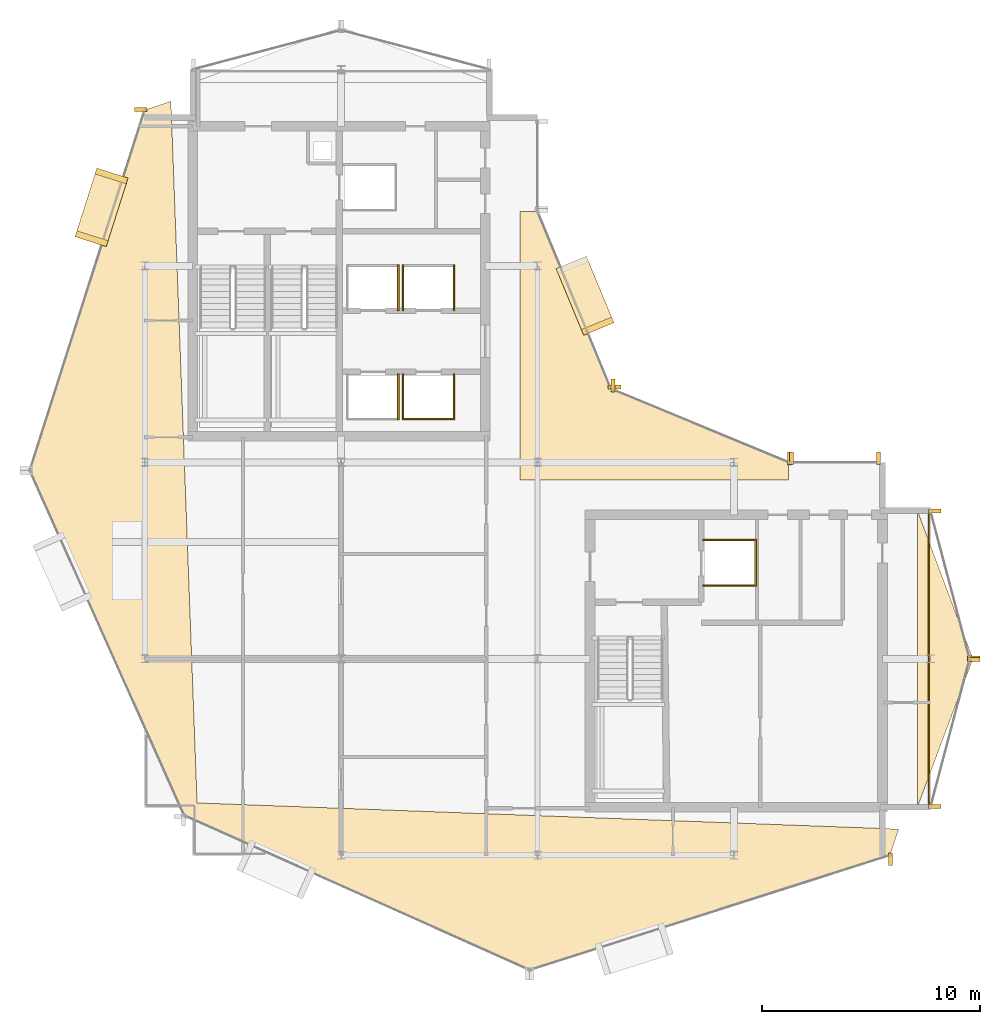
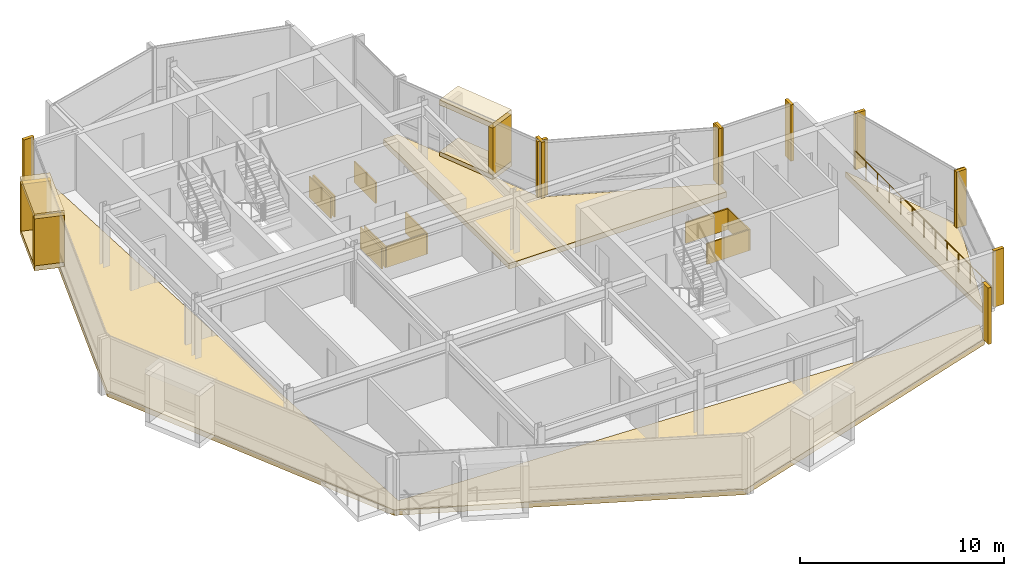
# One storey, part 18 of 19: 31 coverings, 1 railing.
"""IFC4 building model written with IfcOpenShell, lengths in metres."""

from ifc_helpers import new_model, si_unit, direction, frame, origin, origin_2d, place, context, subcontext, project, spatial, polyline, rectangle, circle, outline, extrude, material, layer, layer_set, type_object, element, save


model = new_model("IFC4")

# Units and contexts
model_context = context("Model", 3, precision=1e-05, world=origin(), true_north=direction((0.0, 1.0)))
body_context = subcontext(model_context, "Body", "Model", "MODEL_VIEW")
ifc_project = project(units=[si_unit("LENGTHUNIT", "METRE"), si_unit("AREAUNIT", "SQUARE_METRE"), si_unit("VOLUMEUNIT", "CUBIC_METRE"), si_unit("PLANEANGLEUNIT", "RADIAN"), si_unit("MASSUNIT", "GRAM", prefix="KILO")], contexts=[model_context])

# Site, building, storey
site_placement = place(None, origin())
site = spatial("IfcSite", under=ifc_project, at=site_placement, CompositionType="ELEMENT")
building_placement = place(site_placement, origin())
building = spatial("IfcBuilding", under=site, at=building_placement, Name="Solvaryn Broadcast Tower", CompositionType="ELEMENT")
storey_placement = place(building_placement, frame((0.0, 0.0, 293.699951171875)))
storey = spatial("IfcBuildingStorey", under=building, at=storey_placement, Name="L74", CompositionType="ELEMENT", Elevation=293.699951171875)

# Coverings
ifc_material_1 = material(Name="Fire-Rated Gypsum Shaftwall Liner", Category="concrete")
ifc_layer_1 = layer(ifc_material_1, 0.080078125)
ifc_layer_set_1 = layer_set([ifc_layer_1], Name="CV-SHAFT-LINER")
covering_type_1 = type_object("IfcCoveringType", Name="CV-SHAFT-LINER", PredefinedType="CLADDING", material=ifc_layer_set_1)
covering_1_placement = place(storey_placement, frame((20.614990234375, 30.0, 0.0), z_axis=(0.0, 0.0, 1.0), x_axis=(1.0, 0.0, 0.0)))
element("IfcCovering", 1, at=covering_1_placement, inside=storey, type_object=covering_type_1, Name="L74 PH1 Hoistway Shaft Liner East", PredefinedType="CLADDING", context=body_context, shape_type="SweptSolid", body=[
    extrude(rectangle(XDim=0.080078125, YDim=2.110107421875, at=origin_2d()), origin(), (0.0, 0.0, 1.0), 1.25),
])
covering_2_placement = place(storey_placement, frame((22.0, 28.985107421875, 0.0), z_axis=(0.0, 0.0, 1.0), x_axis=(1.0, 0.0, 0.0)))
element("IfcCovering", 2, at=covering_2_placement, inside=storey, type_object=covering_type_1, Name="L74 PH2 Hoistway Shaft Liner South", PredefinedType="CLADDING", context=body_context, shape_type="SweptSolid", body=[
    extrude(rectangle(XDim=2.409912109375, YDim=0.080078125, at=origin_2d()), origin(), (0.0, 0.0, 1.0), 1.25),
])
for number, where, z_axis, x_axis, name in (
    (3, (23.1650390625, 30.0, 0.0), (0.0, 0.0, 1.0), (1.0, 0.0, 0.0), "L74 PH2 Hoistway Shaft Liner East"),
    (4, (20.8349609375, 30.0, 0.0), (0.0, 0.0, 1.0), (1.0, 0.0, 0.0), "L74 PH2 Hoistway Shaft Liner West"),
    (5, (20.614990234375, 35.0, 0.0), (0.0, 0.0, 1.0), (1.0, 0.0, 0.0), "L74 PH3 Hoistway Shaft Liner East"),
    (6, (23.1650390625, 35.0, 0.0), (0.0, 0.0, 1.0), (1.0, 0.0, 0.0), "L74 PH4 Hoistway Shaft Liner East"),
    (7, (20.8349609375, 35.0, 0.0), (0.0, 0.0, 1.0), (1.0, 0.0, 0.0), "L74 PH4 Hoistway Shaft Liner West"),
):
    element("IfcCovering", number, at=place(storey_placement, frame(where, z_axis=z_axis, x_axis=x_axis)), inside=storey, type_object=covering_type_1, Name=name, PredefinedType="CLADDING", context=body_context, shape_type="SweptSolid", body=[
        extrude(rectangle(XDim=0.080078125, YDim=2.110107421875, at=origin_2d()), origin(), (0.0, 0.0, 1.0), 1.25),
    ])
for number, where, z_axis, x_axis, name in (
    (8, (35.800048828125, 23.43994140625, 0.0), (0.0, 0.0, 1.0), (1.0, 0.0, 0.0), "L74 FL2 Hoistway Shaft Liner North"),
    (9, (35.800048828125, 21.360107421875, 0.0), (0.0, 0.0, 1.0), (1.0, 0.0, 0.0), "L74 FL2 Hoistway Shaft Liner South"),
):
    element("IfcCovering", number, at=place(storey_placement, frame(where, z_axis=z_axis, x_axis=x_axis)), inside=storey, type_object=covering_type_1, Name=name, PredefinedType="CLADDING", context=body_context, shape_type="SweptSolid", body=[
        extrude(rectangle(XDim=2.4599609375, YDim=0.080078125, at=origin_2d()), origin(), (0.0, 0.0, 1.0), 1.25),
    ])
covering_3_placement = place(storey_placement, frame((36.989990234375, 22.39990234375, 0.0), z_axis=(0.0, 0.0, 1.0), x_axis=(1.0, 0.0, 0.0)))
element("IfcCovering", 10, at=covering_3_placement, inside=storey, type_object=covering_type_1, Name="L74 FL2 Hoistway Shaft Liner East", PredefinedType="CLADDING", context=body_context, shape_type="SweptSolid", body=[
    extrude(rectangle(XDim=0.080078125, YDim=2.159912109375, at=origin_2d()), origin(), (0.0, 0.0, 1.0), 1.25),
])
ifc_material_2 = material(Name="Glazed Architectural Terracotta Rainscreen Cladding", Category="masonry")
ifc_layer_2 = layer(ifc_material_2, 0.280029296875)
ifc_layer_set_2 = layer_set([ifc_layer_2], Name="CV-TC-CLAD")
covering_type_2 = type_object("IfcCoveringType", Name="CV-TC-CLAD", PredefinedType="CLADDING", material=ifc_layer_set_2)
for number, where, z_axis, x_axis, name in (
    (11, (7.02197265625, 38.68603515625, 3.080078125), (0.0, 0.0, 1.0), (-0.303534206887, -0.952820541996, 0.0), "L74 Projecting Stone Window Box Hood 1"),
    (12, (7.02197265625, 38.68603515625, -0.009765625), (0.0, 0.0, 1.0), (-0.303534206887, -0.952820541996, 0.0), "L74 Projecting Stone Window Box Sill 1"),
):
    element("IfcCovering", number, at=place(storey_placement, frame(where, z_axis=z_axis, x_axis=x_axis)), inside=storey, type_object=covering_type_2, Name=name, PredefinedType="CLADDING", context=body_context, shape_type="SweptSolid", body=[
        extrude(rectangle(XDim=3.300048828125, YDim=1.5, at=origin_2d()), origin(), (0.0, 0.0, 1.0), 0.300048828125),
    ])
for number, where, z_axis, x_axis, name in (
    (13, (7.480224609375, 40.124755859375, 0.280029296875), (0.0, 0.0, 1.0), (-0.303534206887, -0.952820541996, 0.0), "L74 Projecting Stone Window Box Cheek 1-1"),
    (14, (6.563720703125, 37.247314453125, 0.280029296875), (0.0, 0.0, 1.0), (-0.303534206887, -0.952820541996, 0.0), "L74 Projecting Stone Window Box Cheek 1-2"),
):
    element("IfcCovering", number, at=place(storey_placement, frame(where, z_axis=z_axis, x_axis=x_axis)), inside=storey, type_object=covering_type_2, Name=name, PredefinedType="CLADDING", context=body_context, shape_type="SweptSolid", body=[
        extrude(rectangle(XDim=0.280029296875, YDim=1.5, at=origin_2d()), origin(), (0.0, 0.0, 1.0), 2.81005859375),
    ])
for number, where, z_axis, x_axis, name in (
    (15, (29.174072265625, 34.636962890625, 3.080078125), (0.0, 0.0, 1.0), (-0.382683432365, 0.923879532511, 0.0), "L74 Projecting Stone Window Box Hood 5"),
    (16, (29.174072265625, 34.636962890625, -0.009765625), (0.0, 0.0, 1.0), (-0.382683432365, 0.923879532511, 0.0), "L74 Projecting Stone Window Box Sill 5"),
):
    element("IfcCovering", number, at=place(storey_placement, frame(where, z_axis=z_axis, x_axis=x_axis)), inside=storey, type_object=covering_type_2, Name=name, PredefinedType="CLADDING", context=body_context, shape_type="SweptSolid", body=[
        extrude(rectangle(XDim=3.300048828125, YDim=1.5, at=origin_2d()), origin(), (0.0, 0.0, 1.0), 0.300048828125),
    ])
covering_4_placement = place(storey_placement, frame((29.751953125, 33.241943359375, 0.280029296875), z_axis=(0.0, 0.0, 1.0), x_axis=(-0.382683432365, 0.923879532511, 0.0)))
element("IfcCovering", 17, at=covering_4_placement, inside=storey, type_object=covering_type_2, Name="L74 Projecting Stone Window Box Cheek 5-1", PredefinedType="CLADDING", context=body_context, shape_type="SweptSolid", body=[
    extrude(rectangle(XDim=0.280029296875, YDim=1.5, at=origin_2d()), origin(), (0.0, 0.0, 1.0), 2.81005859375),
])
ifc_material_3 = material(Name="Extruded Architectural Terracotta Fin", Category="masonry")
ifc_layer_3 = layer(ifc_material_3, 0.179931640625)
ifc_layer_set_3 = layer_set([ifc_layer_3], Name="CV-TC-FIN")
covering_type_3 = type_object("IfcCoveringType", Name="CV-TC-FIN", PredefinedType="USERDEFINED", material=ifc_layer_set_3)
covering_5_placement = place(storey_placement, frame((8.819091796875, 43.17529296875, 0.0), z_axis=(0.0, 0.0, 1.0), x_axis=(1.0, 0.0, 0.0)))
element("IfcCovering", 18, at=covering_5_placement, inside=storey, type_object=covering_type_3, Name="L74 Terracotta Vertical Fin FIN-L74-DR1-M00", ObjectType="FIN", PredefinedType="USERDEFINED", context=body_context, shape_type="SweptSolid", body=[
    extrude(rectangle(XDim=0.580078125, YDim=0.179931640625, at=origin_2d()), origin(), (0.0, 0.0, 1.0), 3.3701171875),
])
for number, where, z_axis, x_axis, name in (
    (19, (43.17529296875, 8.819091796875, 0.0), (0.0, 0.0, 1.0), (1.0, 0.0, 0.0), "L74 Terracotta Vertical Fin FIN-L74-DR4-M01"),
    (20, (38.541259765625, 27.177978515625, 0.0), (0.0, 0.0, 1.0), (1.0, 0.0, 0.0), "L74 Terracotta Vertical Fin FIN-L74-CN1-M00"),
    (21, (30.464599609375, 30.52294921875, 0.0), (0.0, 0.0, 1.0), (1.0, 0.0, 0.0), "L74 Terracotta Vertical Fin FIN-L74-CN1-M01"),
):
    element("IfcCovering", number, at=place(storey_placement, frame(where, z_axis=z_axis, x_axis=x_axis)), inside=storey, type_object=covering_type_3, Name=name, ObjectType="FIN", PredefinedType="USERDEFINED", context=body_context, shape_type="SweptSolid", body=[
        extrude(rectangle(XDim=0.179931640625, YDim=0.580078125, at=origin_2d()), origin(), (0.0, 0.0, 1.0), 3.3701171875),
    ])
for number, where, z_axis, x_axis, name in (
    (22, (30.52294921875, 30.464599609375, 0.0), (0.0, 0.0, 1.0), (1.0, 0.0, 0.0), "L74 Terracotta Vertical Fin FIN-L74-CN2-M00"),
    (23, (45.1953125, 24.77099609375, 0.0), (0.0, 0.0, 1.0), (1.0, 0.0, 0.0), "L74 Terracotta Vertical Fin FIN-L74-ET1-M00"),
    (24, (46.979736328125, 18.029052734375, 0.0), (0.0, 0.0, 1.0), (1.0, 0.0, 0.0), "L74 Terracotta Vertical Fin FIN-L74-ET1-M01"),
    (25, (46.979736328125, 17.970947265625, 0.0), (0.0, 0.0, 1.0), (1.0, 0.0, 0.0), "L74 Terracotta Vertical Fin FIN-L74-ET2-M00"),
    (26, (45.1953125, 11.22900390625, 0.0), (0.0, 0.0, 1.0), (1.0, 0.0, 0.0), "L74 Terracotta Vertical Fin FIN-L74-ET2-M01"),
):
    element("IfcCovering", number, at=place(storey_placement, frame(where, z_axis=z_axis, x_axis=x_axis)), inside=storey, type_object=covering_type_3, Name=name, ObjectType="FIN", PredefinedType="USERDEFINED", context=body_context, shape_type="SweptSolid", body=[
        extrude(rectangle(XDim=0.580078125, YDim=0.179931640625, at=origin_2d()), origin(), (0.0, 0.0, 1.0), 3.3701171875),
    ])
for number, where, z_axis, x_axis, name in (
    (27, (38.6298828125, 27.1875, 0.0), (0.0, 0.0, 1.0), (1.0, 0.0, 0.0), "L74 Terracotta Vertical Fin FIN-L74-IH-M00"),
    (28, (42.6201171875, 27.1875, 0.0), (0.0, 0.0, 1.0), (1.0, 0.0, 0.0), "L74 Terracotta Vertical Fin FIN-L74-IH-M01"),
):
    element("IfcCovering", number, at=place(storey_placement, frame(where, z_axis=z_axis, x_axis=x_axis)), inside=storey, type_object=covering_type_3, Name=name, ObjectType="FIN", PredefinedType="USERDEFINED", context=body_context, shape_type="SweptSolid", body=[
        extrude(rectangle(XDim=0.179931640625, YDim=0.580078125, at=origin_2d()), origin(), (0.0, 0.0, 1.0), 3.3701171875),
    ])
ifc_material_4 = material(Name="Sculpted Architectural Terracotta Wave Fascia", Category="masonry")
ifc_layer_4 = layer(ifc_material_4, 0.340087890625)
ifc_layer_set_4 = layer_set([ifc_layer_4], Name="CV-WAVE-TRAY")
covering_type_4 = type_object("IfcCoveringType", Name="CV-WAVE-TRAY", PredefinedType="CLADDING", material=ifc_layer_set_4)
covering_6_placement = place(storey_placement, frame((0.0, 0.0, -0.300048828125)))
element("IfcCovering", 29, at=covering_6_placement, inside=storey, type_object=covering_type_4, Name="L74 Stepped Cylindrical Drum Floor Apron", PredefinedType="CLADDING", context=body_context, shape_type="SweptSolid", body=[
    extrude(outline(polyline([(10.199951171875, 43.549072265625), (9.0, 43.14892578125), (3.738037109375, 26.635986328125), (10.81689453125, 10.81689453125), (26.635986328125, 3.738037109375), (43.14892578125, 9.0), (43.14892578125, 9.0), (43.549072265625, 10.199951171875), (11.39990234375, 11.39990234375), (10.199951171875, 43.549072265625)])), origin(), (0.0, 0.0, 1.0), 0.330078125),
])
covering_7_placement = place(storey_placement, frame((0.0, 0.0, -0.300048828125)))
element("IfcCovering", 30, at=covering_7_placement, inside=storey, type_object=covering_type_4, Name="L74 Concave Canyon Floor Apron", PredefinedType="CLADDING", context=body_context, shape_type="SweptSolid", body=[
    extrude(outline(polyline([(26.199951171875, 26.199951171875), (38.5, 26.199951171875), (38.5, 27.0), (30.367919921875, 30.367919921875), (27.0, 38.5), (26.199951171875, 38.5), (26.199951171875, 26.199951171875)])), origin(), (0.0, 0.0, 1.0), 0.330078125),
])
covering_8_placement = place(storey_placement, frame((0.0, 0.0, -0.300048828125)))
element("IfcCovering", 31, at=covering_8_placement, inside=storey, type_object=covering_type_4, Name="L74 East Curved Wing Deck", PredefinedType="CLADDING", context=body_context, shape_type="SweptSolid", body=[
    extrude(outline(polyline([(44.39990234375, 11.199951171875), (46.949951171875, 18.0), (44.39990234375, 24.800048828125), (44.39990234375, 11.199951171875)])), origin(), (0.0, 0.0, 1.0), 0.330078125),
])

# Railing
ifc_material_5 = material(Name="Stainless Steel and Laminated Glass Guard", Category="steel")
railing_type = type_object("IfcRailingType", Name="RL-TER-1150", PredefinedType="BALUSTRADE", material=ifc_material_5)
railing_placement = place(storey_placement, frame((44.919921875, 11.199951171875, 0.0)))
element("IfcRailing", 32, at=railing_placement, inside=storey, type_object=railing_type, Name="L74 East Wing Spandrel Edge Guard", PredefinedType="BALUSTRADE", context=body_context, shape_type="SweptSolid", body=[
    extrude(circle(Radius=0.02392578125, at=origin_2d()), frame((0.0, 0.0, 1.1259765625), z_axis=(0.0, 1.0, 0.0), x_axis=(-1.0, 0.0, 0.0)), (0.0, 0.0, 1.0), 13.60009765625),
    extrude(circle(Radius=0.02099609375, at=origin_2d()), origin(), (0.0, 0.0, 1.0), 1.101806640625),
    extrude(circle(Radius=0.02099609375, at=origin_2d()), frame((0.0, 1.13330078125, 0.0)), (0.0, 0.0, 1.0), 1.101806640625),
    extrude(circle(Radius=0.02099609375, at=origin_2d()), frame((0.0, 2.2666015625, 0.0)), (0.0, 0.0, 1.0), 1.101806640625),
    extrude(circle(Radius=0.02099609375, at=origin_2d()), frame((0.0, 3.39990234375, 0.0)), (0.0, 0.0, 1.0), 1.101806640625),
    extrude(circle(Radius=0.02099609375, at=origin_2d()), frame((0.0, 4.533447265625, 0.0)), (0.0, 0.0, 1.0), 1.101806640625),
    extrude(circle(Radius=0.02099609375, at=origin_2d()), frame((0.0, 5.666748046875, 0.0)), (0.0, 0.0, 1.0), 1.101806640625),
    extrude(circle(Radius=0.02099609375, at=origin_2d()), frame((0.0, 6.800048828125, 0.0)), (0.0, 0.0, 1.0), 1.101806640625),
    extrude(circle(Radius=0.02099609375, at=origin_2d()), frame((0.0, 7.933349609375, 0.0)), (0.0, 0.0, 1.0), 1.101806640625),
    extrude(circle(Radius=0.02099609375, at=origin_2d()), frame((0.0, 9.066650390625, 0.0)), (0.0, 0.0, 1.0), 1.101806640625),
    extrude(circle(Radius=0.02099609375, at=origin_2d()), frame((0.0, 10.2001953125, 0.0)), (0.0, 0.0, 1.0), 1.101806640625),
    extrude(circle(Radius=0.02099609375, at=origin_2d()), frame((0.0, 11.33349609375, 0.0)), (0.0, 0.0, 1.0), 1.101806640625),
    extrude(circle(Radius=0.02099609375, at=origin_2d()), frame((0.0, 12.466796875, 0.0)), (0.0, 0.0, 1.0), 1.101806640625),
    extrude(circle(Radius=0.02099609375, at=origin_2d()), frame((0.0, 13.60009765625, 0.0)), (0.0, 0.0, 1.0), 1.101806640625),
])

save(model, "model.ifc")
